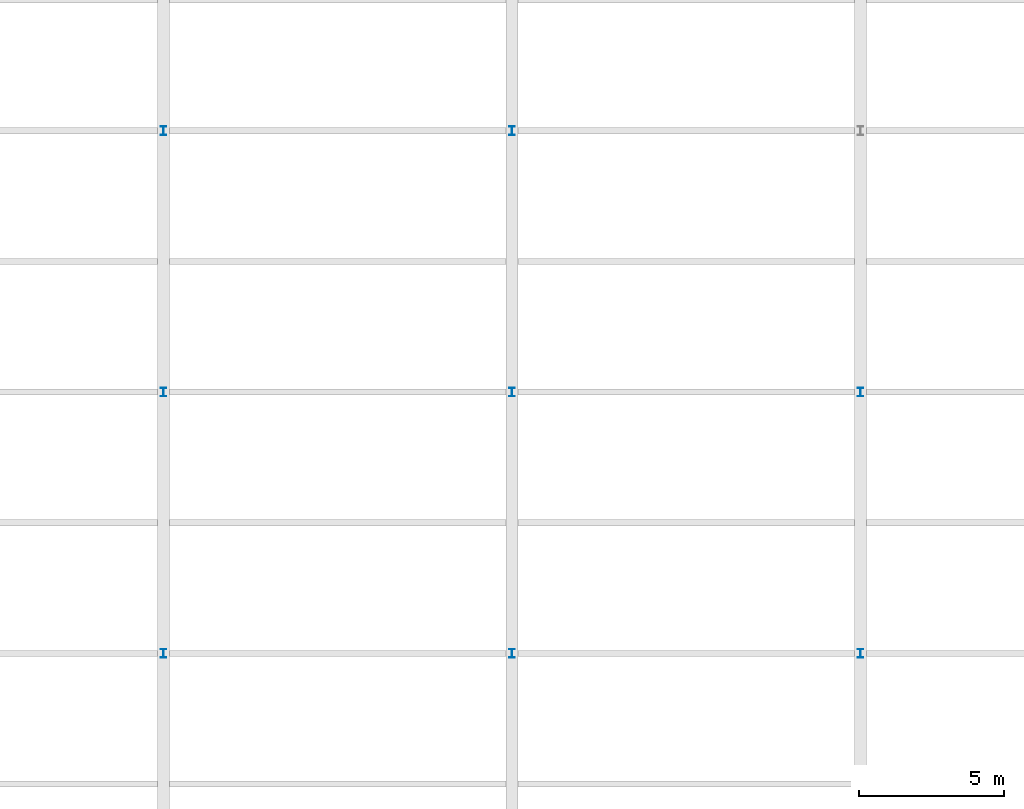
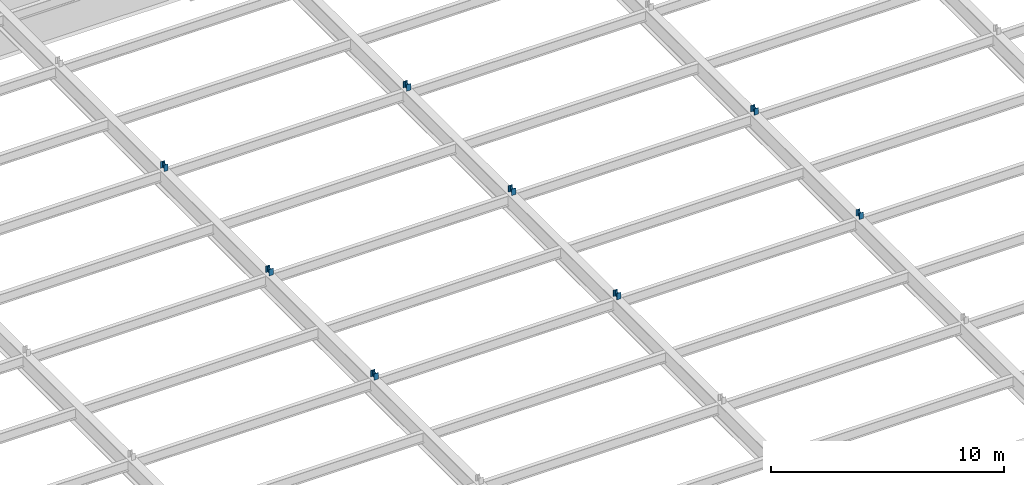
# One storey, part 76 of 105: 8 members.
"""IFC4 building model written with IfcOpenShell, lengths in metres."""

from ifc_helpers import new_model, si_unit, direction, frame, origin, origin_2d, place, context, subcontext, project, spatial, i_section, extrude, material, material_profile, profile_set, type_object, element, save


model = new_model("IFC4")

# Units and contexts
model_context = context("Model", 3, precision=1e-05, world=origin(), true_north=direction((0.0, 1.0)))
body_context = subcontext(model_context, "Body", "Model", "MODEL_VIEW")
ifc_project = project(units=[si_unit("LENGTHUNIT", "METRE"), si_unit("AREAUNIT", "SQUARE_METRE"), si_unit("VOLUMEUNIT", "CUBIC_METRE"), si_unit("PLANEANGLEUNIT", "RADIAN"), si_unit("MASSUNIT", "GRAM", prefix="KILO")], contexts=[model_context])

# Site, building, storey
site_placement = place(None, origin())
site = spatial("IfcSite", under=ifc_project, at=site_placement, CompositionType="ELEMENT")
building_placement = place(site_placement, origin())
building = spatial("IfcBuilding", under=site, at=building_placement, Name="Kaldorvane Square Convention Centre", CompositionType="ELEMENT")
storey_placement = place(building_placement, frame((0.0, 0.0, 6.0)))
storey = spatial("IfcBuildingStorey", under=building, at=storey_placement, Name="L01", CompositionType="ELEMENT", Elevation=6.0)

# Members
ifc_material = material(Name="Steel ASTM A992 Gr. 50", Category="steel")
ifc_material_profile = material_profile(ifc_material, i_section(OverallWidth=0.2032928466796875, OverallDepth=0.3032989501953125, WebThickness=0.00750732421875, FlangeThickness=0.0131072998046875, FilletRadius=0.01019287109375, at=origin_2d()), Name="W12X40")
ifc_profile_set = profile_set([ifc_material_profile], Name="Steel ASTM A992 Gr. 50")
member_type = type_object("IfcMemberType", Name="MB-HG-W12X40", PredefinedType="POST", material=ifc_profile_set)
for number, where, z_axis, x_axis, name in (
    (1, (66.0, 36.0, 5.675994873046875), (0.0, 0.0, 1.0), (1.0, 0.0, 0.0), "Exhibition Hall Ceiling Girder HG-04 Hanger 2"),
    (2, (66.0, 45.0, 5.675994873046875), (0.0, 0.0, 1.0), (1.0, 0.0, 0.0), "Exhibition Hall Ceiling Girder HG-04 Hanger 3"),
    (3, (66.0, 54.0, 5.675994873046875), (0.0, 0.0, 1.0), (1.0, 0.0, 0.0), "Exhibition Hall Ceiling Girder HG-04 Hanger 4"),
    (4, (78.0, 36.0, 5.675994873046875), (0.0, 0.0, 1.0), (1.0, 0.0, 0.0), "Exhibition Hall Ceiling Girder HG-05 Hanger 2"),
    (5, (78.0, 45.0, 5.675994873046875), (0.0, 0.0, 1.0), (1.0, 0.0, 0.0), "Exhibition Hall Ceiling Girder HG-05 Hanger 3"),
    (6, (78.0, 54.0, 5.675994873046875), (0.0, 0.0, 1.0), (1.0, 0.0, 0.0), "Exhibition Hall Ceiling Girder HG-05 Hanger 4"),
    (7, (90.0, 36.0, 5.675994873046875), (0.0, 0.0, 1.0), (1.0, 0.0, 0.0), "Exhibition Hall Ceiling Girder HG-06 Hanger 2"),
    (8, (90.0, 45.0, 5.675994873046875), (0.0, 0.0, 1.0), (1.0, 0.0, 0.0), "Exhibition Hall Ceiling Girder HG-06 Hanger 3"),
):
    element("IfcMember", number, at=place(storey_placement, frame(where, z_axis=z_axis, x_axis=x_axis)), inside=storey, type_object=member_type, Name=name, PredefinedType="POST", context=body_context, shape_type="SweptSolid", body=[
        extrude(i_section(OverallWidth=0.2032928466796875, OverallDepth=0.3032989501953125, WebThickness=0.00750732421875, FlangeThickness=0.0131072998046875, FilletRadius=0.01019287109375, at=origin_2d()), origin(), (0.0, 0.0, 1.0), 0.3332977294921875),
    ])

save(model, "model.ifc")
